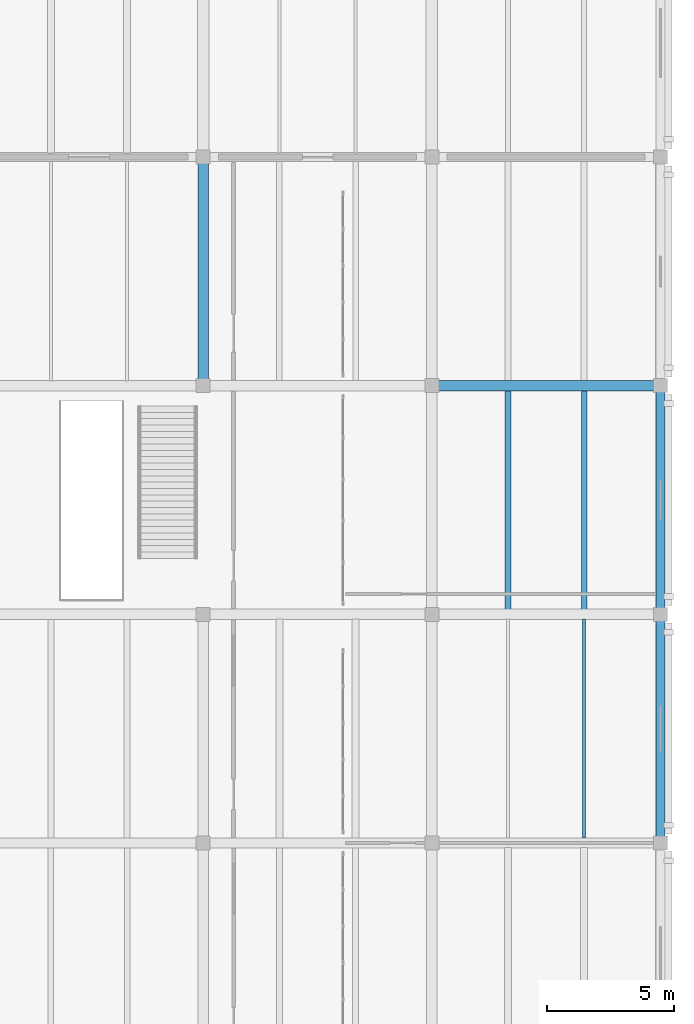
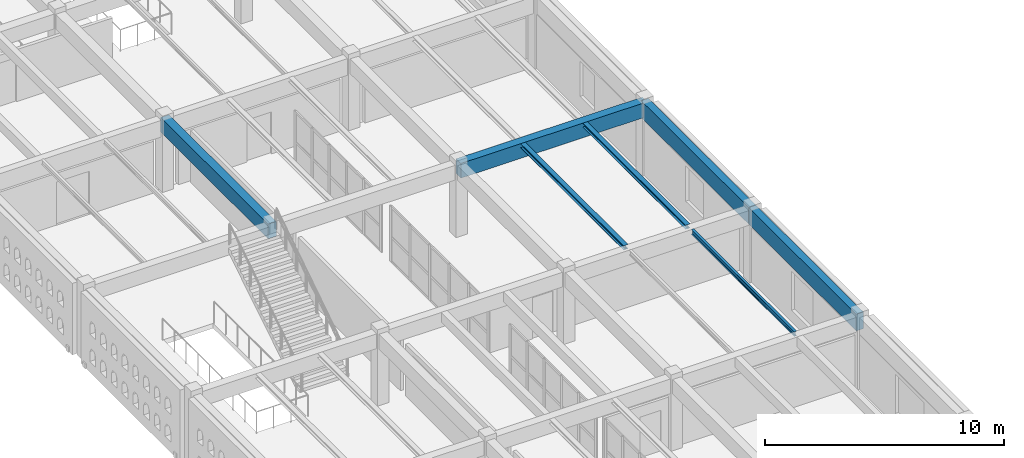
# One storey, part 88 of 156: 7 beams.
"""IFC4 building model written with IfcOpenShell, lengths in metres."""

from ifc_helpers import new_model, si_unit, direction, frame, origin, origin_2d, place, context, subcontext, project, spatial, rectangle, i_section, extrude, material, material_profile, profile_set, type_object, element, save


model = new_model("IFC4")

# Units and contexts
model_context = context("Model", 3, precision=1e-05, world=origin(), true_north=direction((0.0, 1.0)))
body_context = subcontext(model_context, "Body", "Model", "MODEL_VIEW")
ifc_project = project(units=[si_unit("LENGTHUNIT", "METRE"), si_unit("AREAUNIT", "SQUARE_METRE"), si_unit("VOLUMEUNIT", "CUBIC_METRE"), si_unit("PLANEANGLEUNIT", "RADIAN"), si_unit("MASSUNIT", "GRAM", prefix="KILO")], contexts=[model_context])

# Site, building, storey
site_placement = place(None, origin())
site = spatial("IfcSite", under=ifc_project, at=site_placement, CompositionType="ELEMENT")
building_placement = place(site_placement, origin())
building = spatial("IfcBuilding", under=site, at=building_placement, Name="Ornek Quay Market", CompositionType="ELEMENT")
storey_placement = place(building_placement, frame((0.0, 0.0, 4.5)))
storey = spatial("IfcBuildingStorey", under=building, at=storey_placement, Name="L01", CompositionType="ELEMENT", Elevation=4.5)

# Beams
ifc_material_1 = material(Name="Concrete C35/45", Category="concrete")
ifc_material_profile_1 = material_profile(ifc_material_1, rectangle(XDim=0.39990234375, YDim=0.75, at=origin_2d()), Name="RC 400x750", Category="concrete")
ifc_profile_set_1 = profile_set([ifc_material_profile_1], Name="Concrete C35/45")
beam_type_1 = type_object("IfcBeamType", Name="BM-CS-400x750", PredefinedType="BEAM", material=ifc_profile_set_1)
for number, where, z_axis, x_axis, name in (
    (1, (171.0, 56.0, 3.27490234375), (1.0, 0.0, 0.0), (0.0, 1.0, 0.0), "Primary beam B-CS1-042"),
    (2, (162.0, 56.0, 3.27490234375), (0.0, 1.0, 0.0), (-1.0, 0.0, 0.0), "Primary beam B-CS1-047"),
):
    element("IfcBeam", number, at=place(storey_placement, frame(where, z_axis=z_axis, x_axis=x_axis)), inside=storey, type_object=beam_type_1, Name=name, PredefinedType="BEAM", context=body_context, shape_type="SweptSolid", body=[
        extrude(rectangle(XDim=0.39990234375, YDim=0.75, at=origin_2d()), origin(), (0.0, 0.0, 1.0), 9.0),
    ])
ifc_material_2 = material(Name="Concrete C40/50", Category="concrete")
ifc_material_profile_2 = material_profile(ifc_material_2, rectangle(XDim=0.35009765625, YDim=0.85009765625, at=origin_2d()), Name="RC 350x850", Category="concrete")
ifc_profile_set_2 = profile_set([ifc_material_profile_2], Name="Concrete C40/50")
beam_type_2 = type_object("IfcBeamType", Name="BM-SPN-350x850", PredefinedType="SPANDREL", material=ifc_profile_set_2)
for number, where, z_axis, x_axis, name in (
    (3, (180.0, 38.0, 3.22509765625), (0.0, 1.0, 0.0), (-1.0, 0.0, 0.0), "Primary beam B-SP1-143"),
    (4, (180.0, 47.0, 3.22509765625), (0.0, 1.0, 0.0), (-1.0, 0.0, 0.0), "Primary beam B-SP1-144"),
):
    element("IfcBeam", number, at=place(storey_placement, frame(where, z_axis=z_axis, x_axis=x_axis)), inside=storey, type_object=beam_type_2, Name=name, PredefinedType="SPANDREL", context=body_context, shape_type="SweptSolid", body=[
        extrude(rectangle(XDim=0.35009765625, YDim=0.85009765625, at=origin_2d()), origin(), (0.0, 0.0, 1.0), 9.0),
    ])
ifc_material_3 = material(Name="Steel S355", Category="steel")
ifc_material_profile_3 = material_profile(ifc_material_3, i_section(OverallWidth=0.219970703125, OverallDepth=0.2099609375, WebThickness=0.007080078125, FlangeThickness=0.010986328125, FilletRadius=0.01806640625, at=origin_2d()), Name="HEA 220", Category="steel")
ifc_profile_set_3 = profile_set([ifc_material_profile_3], Name="Steel S355")
beam_type_3 = type_object("IfcBeamType", Name="BM-STL-HEA220", PredefinedType="BEAM", material=ifc_profile_set_3)
for number, where, z_axis, x_axis, name in (
    (5, (174.0, 47.19189453125, 3.544921875), (0.0, 1.0, 0.0), (-1.0, 0.0, 0.0), "Secondary joist SB-13-029"),
    (6, (177.0, 47.19189453125, 3.544921875), (0.0, 1.0, 0.0), (-1.0, 0.0, 0.0), "Secondary joist SB-13-030"),
):
    element("IfcBeam", number, at=place(storey_placement, frame(where, z_axis=z_axis, x_axis=x_axis)), inside=storey, type_object=beam_type_3, Name=name, PredefinedType="BEAM", context=body_context, shape_type="SweptSolid", body=[
        extrude(i_section(OverallWidth=0.219970703125, OverallDepth=0.2099609375, WebThickness=0.007080078125, FlangeThickness=0.010986328125, FilletRadius=0.01806640625, at=origin_2d()), origin(), (0.0, 0.0, 1.0), 8.6162109375),
    ])
ifc_material_profile_4 = material_profile(ifc_material_3, i_section(OverallWidth=0.1201171875, OverallDepth=0.239990234375, WebThickness=0.006103515625, FlangeThickness=0.009765625, FilletRadius=0.014892578125, at=origin_2d()), Name="IPE 240", Category="steel")
ifc_profile_set_4 = profile_set([ifc_material_profile_4], Name="Steel S355")
beam_type_4 = type_object("IfcBeamType", Name="BM-STL-IPE240", PredefinedType="JOIST", material=ifc_profile_set_4)
beam_placement = place(storey_placement, frame((177.0, 38.19189453125, 3.530029296875), z_axis=(0.0, 1.0, 0.0), x_axis=(-1.0, 0.0, 0.0)))
element("IfcBeam", 7, at=beam_placement, inside=storey, type_object=beam_type_4, Name="Secondary joist SB-04-052", PredefinedType="JOIST", context=body_context, shape_type="SweptSolid", body=[
    extrude(i_section(OverallWidth=0.1201171875, OverallDepth=0.239990234375, WebThickness=0.006103515625, FlangeThickness=0.009765625, FilletRadius=0.014892578125, at=origin_2d()), origin(), (0.0, 0.0, 1.0), 8.6162109375),
])

save(model, "model.ifc")
